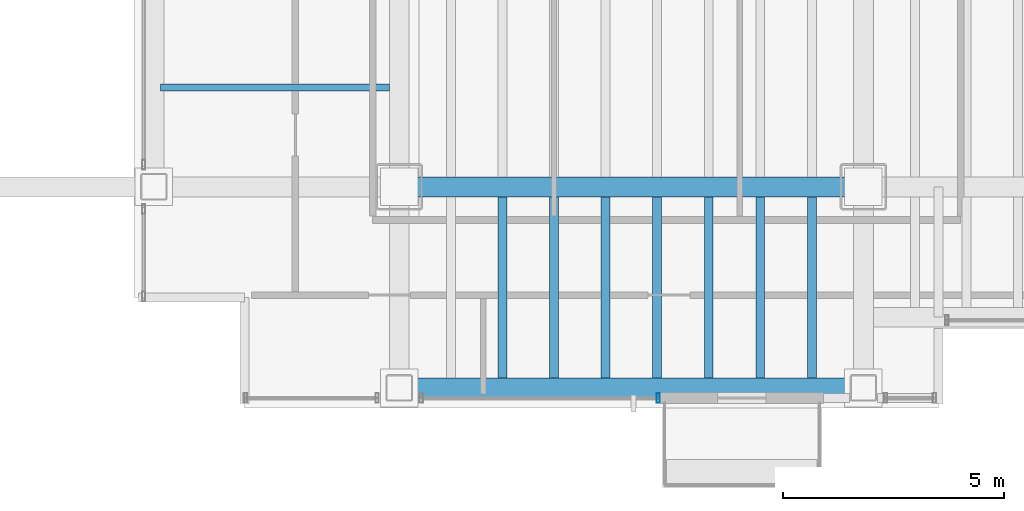
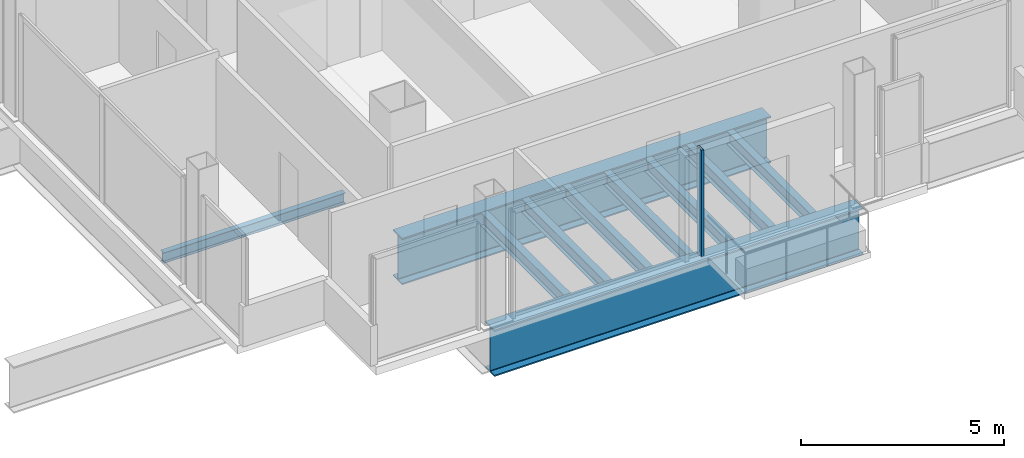
# One storey, part 3 of 23: 10 beams, 1 member, 1 element without a shape of its own.
"""IFC4 building model written with IfcOpenShell, lengths in metres."""

import ifcopenshell
import ifcopenshell.guid

model = None  # the IFC model being written
_history = None  # IfcOwnerHistory: only IFC2X3 demands one
_inside = {}  # id of a spatial element -> (the spatial element, [elements in it])
_under = {}  # id of a project, library or spatial element -> (it, [spatial elements below it])
_declared = {}  # id of a project -> (the project, [libraries it declares])
_typed = {}  # id of a type object -> (the type object, [elements of that type])
_made_of = {}  # id of a material, layer set ... -> (it, [elements and type objects made of it])


def new_model(schema):
    """Start an empty IFC model of exactly this schema.

    Asked for "IFC4X3", IfcOpenShell would pick the latest addendum, in which some entities
    have other attributes; the version numbers below select the first issue.
    IFC2X3 requires an IfcOwnerHistory on every rooted entity: one is made here for all.
    """
    global model, _history
    if schema == "IFC4X3":
        model = ifcopenshell.file(schema_version=(4, 3, 0, 0))
    else:
        model = ifcopenshell.file(schema=schema)
    _inside.clear()
    _under.clear()
    _declared.clear()
    _typed.clear()
    _made_of.clear()
    _history = None
    if model.schema == "IFC2X3":
        org = make("IfcOrganization", Name="unknown")
        user = make(
            "IfcPersonAndOrganization",
            ThePerson=make("IfcPerson", FamilyName="unknown"),
            TheOrganization=org,
        )
        app = make(
            "IfcApplication",
            ApplicationDeveloper=org,
            Version="unknown",
            ApplicationFullName="unknown",
            ApplicationIdentifier="unknown",
        )
        _history = make(
            "IfcOwnerHistory",
            OwningUser=user,
            OwningApplication=app,
            ChangeAction="ADDED",
            CreationDate=0,
        )
    return model


def make(cls, **values):
    """One entity of the class cls with the attributes given. An attribute that is None is left unset."""
    return model.create_entity(
        cls, **{name: value for name, value in values.items() if value is not None}
    )


def rooted(cls, **values):
    """An entity with a GlobalId (a new one), such as an element, a storey or a relation."""
    return make(cls, GlobalId=ifcopenshell.guid.new(), OwnerHistory=_history, **values)


def si_unit(unit_type, name, prefix=None):
    """IfcSIUnit, for example si_unit("LENGTHUNIT", "METRE", prefix="MILLI")."""
    return make("IfcSIUnit", UnitType=unit_type, Prefix=prefix, Name=name)


def assignment(units):
    """IfcUnitAssignment: the units of a project."""
    return None if units is None else make("IfcUnitAssignment", Units=units)


def point(xyz):
    """IfcCartesianPoint."""
    return None if xyz is None else make("IfcCartesianPoint", Coordinates=xyz)


def direction(xyz):
    """IfcDirection."""
    return None if xyz is None else make("IfcDirection", DirectionRatios=xyz)


def frame(location, z_axis=None, x_axis=None):
    """IfcAxis2Placement3D, a coordinate frame: its origin and axes. An axis left out is left unset."""
    return make(
        "IfcAxis2Placement3D",
        Location=point(location),
        Axis=direction(z_axis),
        RefDirection=direction(x_axis),
    )


def frame_2d(location, x_axis=None):
    """IfcAxis2Placement2D, a coordinate frame in the plane: its origin and x axis."""
    return make(
        "IfcAxis2Placement2D", Location=point(location), RefDirection=direction(x_axis)
    )


def origin():
    """The frame at (0, 0, 0) with its axes left unset."""
    return frame((0.0, 0.0, 0.0))


def origin_2d():
    """The frame at (0, 0) in the plane with its x axis left unset."""
    return frame_2d((0.0, 0.0))


def place(relative_to, where):
    """IfcLocalPlacement: puts the frame where relative to a parent placement (None: the world)."""
    return make(
        "IfcLocalPlacement", PlacementRelTo=relative_to, RelativePlacement=where
    )


def context(
    kind, dimensions, precision=None, world=None, true_north=None, identifier=None
):
    """IfcGeometricRepresentationContext, for example the 3D "Model" context."""
    return make(
        "IfcGeometricRepresentationContext",
        ContextIdentifier=identifier,
        ContextType=kind,
        CoordinateSpaceDimension=dimensions,
        Precision=precision,
        WorldCoordinateSystem=world,
        TrueNorth=true_north,
    )


def subcontext(parent, identifier, kind, view, scale=None):
    """IfcGeometricRepresentationSubContext, for example "Body" below "Model"."""
    return make(
        "IfcGeometricRepresentationSubContext",
        ContextIdentifier=identifier,
        ContextType=kind,
        ParentContext=parent,
        TargetScale=scale,
        TargetView=view,
    )


def project(units=None, contexts=None):
    """IfcProject with its units and contexts."""
    return rooted(
        "IfcProject",
        Name="project",
        RepresentationContexts=contexts,
        UnitsInContext=assignment(units),
    )


def spatial(cls, under=None, at=None, **own):
    """A site, building, storey or space (cls), placed at a placement, below another one or the project."""
    s = rooted(cls, ObjectPlacement=at, **own)
    if under is not None:
        _under.setdefault(under.id(), (under, []))[1].append(s)
    return s


def profile(cls, at=None, kind="AREA", **sizes):
    """A parametric profile (cls). Its sizes go by their IFC names, for example OverallWidth=200.0."""
    return make(cls, ProfileType=kind, Position=at, **sizes)


def hollow_rectangle(**sizes):
    """IfcRectangleHollowProfileDef."""
    return profile("IfcRectangleHollowProfileDef", **sizes)


def i_section(**sizes):
    """IfcIShapeProfileDef."""
    return profile("IfcIShapeProfileDef", **sizes)


def extrude(swept, where, along, depth):
    """IfcExtrudedAreaSolid: the profile swept, set in the frame where, extruded along a direction by depth."""
    return make(
        "IfcExtrudedAreaSolid",
        SweptArea=swept,
        Position=where,
        ExtrudedDirection=direction(along),
        Depth=depth,
    )


def shape(context_of_items, identifier, shape_type, items):
    """IfcShapeRepresentation: the items that make up one representation, for example the "Body"."""
    return make(
        "IfcShapeRepresentation",
        ContextOfItems=context_of_items,
        RepresentationIdentifier=identifier,
        RepresentationType=shape_type,
        Items=items,
    )


def material(Name=None, Category=None):
    """IfcMaterial."""
    return make("IfcMaterial", Name=Name, Category=Category)


def material_profile(
    of_material, cross_section, Name=None, Category=None, Priority=None
):
    """IfcMaterialProfile: a cross section and its material."""
    return make(
        "IfcMaterialProfile",
        Name=Name,
        Material=of_material,
        Profile=cross_section,
        Priority=Priority,
        Category=Category,
    )


def profile_set(profiles, Name=None, composite=None):
    """IfcMaterialProfileSet."""
    return make(
        "IfcMaterialProfileSet",
        Name=Name,
        MaterialProfiles=profiles,
        CompositeProfile=composite,
    )


def made_of(thing, what):
    """Note that an element or type object is made of a material, layer set ...; save() writes the relation."""
    if what is not None:
        _made_of.setdefault(what.id(), (what, []))[1].append(thing)
    return thing


def type_object(cls, material=None, **own):
    """A type object (cls), such as IfcWallType, which elements share."""
    return made_of(rooted(cls, **own), material)


def element(
    cls,
    number,
    at=None,
    inside=None,
    cuts=None,
    type_object=None,
    material=None,
    context=None,
    identifier="Body",
    shape_type=None,
    held_by="IfcProductDefinitionShape",
    body=None,
    shapes=None,
    **own,
):
    """One element of the class cls, such as IfcWall. Its Tag is "e" and its number.

    at: its placement. inside: the storey or other place that contains it. cuts: it is an
    opening in that element (IfcRelVoidsElement). A single representation is given by context,
    identifier, shape_type and body (its items); several are given by shapes. held_by: the class
    of the entity that holds the representations. save() writes the other relations.
    """
    e = rooted(cls, Tag="e%d" % number, ObjectPlacement=at, **own)
    if body is not None:
        shapes = [shape(context, identifier, shape_type, body)]
    if shapes is not None:
        e.Representation = make(held_by, Representations=shapes)
    if inside is not None:
        _inside.setdefault(inside.id(), (inside, []))[1].append(e)
    if cuts is not None:
        rooted(
            "IfcRelVoidsElement", RelatingBuildingElement=cuts, RelatedOpeningElement=e
        )
    if type_object is not None:
        _typed.setdefault(type_object.id(), (type_object, []))[1].append(e)
    return made_of(e, material)


def aggregate(whole, parts):
    """IfcRelAggregates: a whole, such as a stair, and the parts it consists of."""
    return rooted("IfcRelAggregates", RelatingObject=whole, RelatedObjects=parts)


def save(model, path):
    """Write the relations noted so far, then the file.

    IfcRelAggregates (storeys below a building ...), IfcRelContainedInSpatialStructure (elements
    in a storey), IfcRelDefinesByType, IfcRelAssociatesMaterial and IfcRelDeclares: one each for
    every whole, place, type object, material and project.
    """
    for whole, parts in _under.values():
        aggregate(whole, parts)
    for where, things in _inside.values():
        rooted(
            "IfcRelContainedInSpatialStructure",
            RelatedElements=things,
            RelatingStructure=where,
        )
    for kind, things in _typed.values():
        rooted("IfcRelDefinesByType", RelatedObjects=things, RelatingType=kind)
    for what, things in _made_of.values():
        rooted("IfcRelAssociatesMaterial", RelatedObjects=things, RelatingMaterial=what)
    for by, libraries in _declared.values():
        rooted("IfcRelDeclares", RelatingContext=by, RelatedDefinitions=libraries)
    model.write(path)


model = new_model("IFC4")

# Units and contexts
model_context = context("Model", 3, precision=1e-05, world=origin(), true_north=direction((0.0, 1.0)))
body_context = subcontext(model_context, "Body", "Model", "MODEL_VIEW")
ifc_project = project(units=[si_unit("LENGTHUNIT", "METRE"), si_unit("AREAUNIT", "SQUARE_METRE"), si_unit("VOLUMEUNIT", "CUBIC_METRE"), si_unit("PLANEANGLEUNIT", "RADIAN"), si_unit("MASSUNIT", "GRAM", prefix="KILO")], contexts=[model_context])

# Site, building, storey
site_placement = place(None, origin())
site = spatial("IfcSite", under=ifc_project, at=site_placement, CompositionType="ELEMENT")
building_placement = place(site_placement, origin())
building = spatial("IfcBuilding", under=site, at=building_placement, Name="Noeulbin Bourse Tower", CompositionType="ELEMENT")
storey_placement = place(building_placement, frame((0.0, 0.0, 53.800048828125)))
storey = spatial("IfcBuildingStorey", under=building, at=storey_placement, Name="L13", CompositionType="ELEMENT", Elevation=53.800048828125)

# Beams
ifc_material_1 = material(Name="Steel S355", Category="steel")
ifc_material_profile_1 = material_profile(ifc_material_1, i_section(OverallWidth=0.159912109375, OverallDepth=0.320068359375, WebThickness=0.006591796875, FlangeThickness=0.010009765625, FilletRadius=0.012939453125, at=origin_2d()), Name="H-320x160x6.5x10", Category="LoadBearing")
ifc_profile_set_1 = profile_set([ifc_material_profile_1], Name="Steel S355")
beam_type_1 = type_object("IfcBeamType", Name="BM-JST-320", PredefinedType="JOIST", material=ifc_profile_set_1)
beam_placement = place(storey_placement, frame((8.10009765625, 22.25, -0.400146484375), z_axis=(1.0, 0.0, 0.0), x_axis=(0.0, 1.0, 0.0)))
element("IfcBeam", 1, at=beam_placement, inside=storey, type_object=beam_type_1, Name="Wing Composite Joist L13-W70", PredefinedType="JOIST", context=body_context, shape_type="SweptSolid", body=[
    extrude(i_section(OverallWidth=0.159912109375, OverallDepth=0.320068359375, WebThickness=0.006591796875, FlangeThickness=0.010009765625, FilletRadius=0.012939453125, at=origin_2d()), origin(), (0.0, 0.0, 1.0), 5.1748046875),
])
ifc_material_profile_2 = material_profile(ifc_material_1, i_section(OverallWidth=0.199951171875, OverallDepth=0.39990234375, WebThickness=0.008056640625, FlangeThickness=0.012939453125, FilletRadius=0.01611328125, at=origin_2d()), Name="H-400x200x8x13", Category="LoadBearing")
ifc_profile_set_2 = profile_set([ifc_material_profile_2], Name="Steel S355")
beam_type_2 = type_object("IfcBeamType", Name="BM-SEC-400", PredefinedType="BEAM", material=ifc_profile_set_2)
for number, where, z_axis, x_axis, name in (
    (2, (15.833251953125, 15.675048828125, -0.43994140625), (0.0, 1.0, 0.0), (-1.0, 0.0, 0.0), "Tower Composite Joist L13-04"),
    (3, (17.0, 15.675048828125, -0.43994140625), (0.0, 1.0, 0.0), (-1.0, 0.0, 0.0), "Tower Composite Joist L13-07"),
    (4, (18.166748046875, 15.675048828125, -0.43994140625), (0.0, 1.0, 0.0), (-1.0, 0.0, 0.0), "Tower Composite Joist L13-10"),
    (5, (19.333251953125, 15.675048828125, -0.43994140625), (0.0, 1.0, 0.0), (-1.0, 0.0, 0.0), "Tower Composite Joist L13-13"),
    (6, (20.5, 15.675048828125, -0.43994140625), (0.0, 1.0, 0.0), (-1.0, 0.0, 0.0), "Tower Composite Joist L13-16"),
    (7, (21.666748046875, 15.675048828125, -0.43994140625), (0.0, 1.0, 0.0), (-1.0, 0.0, 0.0), "Tower Composite Joist L13-19"),
    (8, (22.833251953125, 15.675048828125, -0.43994140625), (0.0, 1.0, 0.0), (-1.0, 0.0, 0.0), "Tower Composite Joist L13-22"),
):
    element("IfcBeam", number, at=place(storey_placement, frame(where, z_axis=z_axis, x_axis=x_axis)), inside=storey, type_object=beam_type_2, Name=name, PredefinedType="BEAM", context=body_context, shape_type="SweptSolid", body=[
        extrude(i_section(OverallWidth=0.199951171875, OverallDepth=0.39990234375, WebThickness=0.008056640625, FlangeThickness=0.012939453125, FilletRadius=0.01611328125, at=origin_2d()), origin(), (0.0, 0.0, 1.0), 4.099853515625),
    ])
ifc_material_2 = material(Name="Steel S460", Category="steel")
ifc_material_profile_3 = material_profile(ifc_material_2, i_section(OverallWidth=0.449951171875, OverallDepth=1.39990234375, WebThickness=0.02392578125, FlangeThickness=0.0400390625, FilletRadius=0.02392578125, at=origin_2d()), Name="PG-1400x450x24x40", Category="LoadBearing")
ifc_profile_set_3 = profile_set([ifc_material_profile_3], Name="Steel S460")
beam_type_3 = type_object("IfcBeamType", Name="BM-TRF-1400", PredefinedType="USERDEFINED", material=ifc_profile_set_3)
for number, where, z_axis, x_axis, name in (
    (9, (13.5, 20.0, -0.93994140625), (1.0, 0.0, 0.0), (0.0, 1.0, 0.0), "Tower Primary Girder EW L13-1.2"),
    (10, (13.5, 15.449951171875, -0.93994140625), (1.0, 0.0, 0.0), (0.0, 1.0, 0.0), "South Spandrel L13-1"),
):
    element("IfcBeam", number, at=place(storey_placement, frame(where, z_axis=z_axis, x_axis=x_axis)), inside=storey, type_object=beam_type_3, Name=name, ObjectType="GIRDER", PredefinedType="USERDEFINED", context=body_context, shape_type="SweptSolid", body=[
        extrude(i_section(OverallWidth=0.449951171875, OverallDepth=1.39990234375, WebThickness=0.02392578125, FlangeThickness=0.0400390625, FilletRadius=0.02392578125, at=origin_2d()), origin(), (0.0, 0.0, 1.0), 10.5),
    ])

# Curtain wall, member
ifc_material_3 = material(Name="Dark Solar-Control Double Glazing", Category="glass")
curtain_wall_type = type_object("IfcCurtainWallType", Name="CW-SYS-2", PredefinedType="NOTDEFINED", material=ifc_material_3)
curtain_wall_placement = place(storey_placement, origin())
curtain_wall = element("IfcCurtainWall", 11, at=curtain_wall_placement, inside=storey, type_object=curtain_wall_type, Name="Unitised Curtain Wall CW-L13-S1-S2", PredefinedType="NOTDEFINED")
ifc_material_4 = material(Name="Anodised Aluminium 6063-T6", Category="aluminium")
ifc_material_profile_4 = material_profile(ifc_material_4, hollow_rectangle(XDim=0.074951171875, YDim=0.219970703125, WallThickness=0.0048828125, InnerFilletRadius=0.00244140625, OuterFilletRadius=0.0048828125, at=origin_2d()), Name="ALU-MULL-75x220x5", Category="LoadBearing")
ifc_profile_set_4 = profile_set([ifc_material_profile_4], Name="Anodised Aluminium 6063-T6")
member_type = type_object("IfcMemberType", Name="CW-SYS-2-MUL", PredefinedType="MULLION", material=ifc_profile_set_4)
member_placement = place(storey_placement, frame((19.360107421875, 15.219970703125, -0.02001953125), z_axis=(0.0, 0.0, 1.0), x_axis=(1.0, 0.0, 0.0)))
member = element("IfcMember", 12, at=member_placement, type_object=member_type, Name="Curtain Wall Mullion CW-L13-S1-S2-M01", PredefinedType="MULLION", context=body_context, shape_type="SweptSolid", body=[
    extrude(hollow_rectangle(XDim=0.074951171875, YDim=0.219970703125, WallThickness=0.0048828125, InnerFilletRadius=0.00244140625, OuterFilletRadius=0.0048828125, at=origin_2d()), origin(), (0.0, 0.0, 1.0), 3.219970703125),
])
aggregate(curtain_wall, [member])

save(model, "model.ifc")
